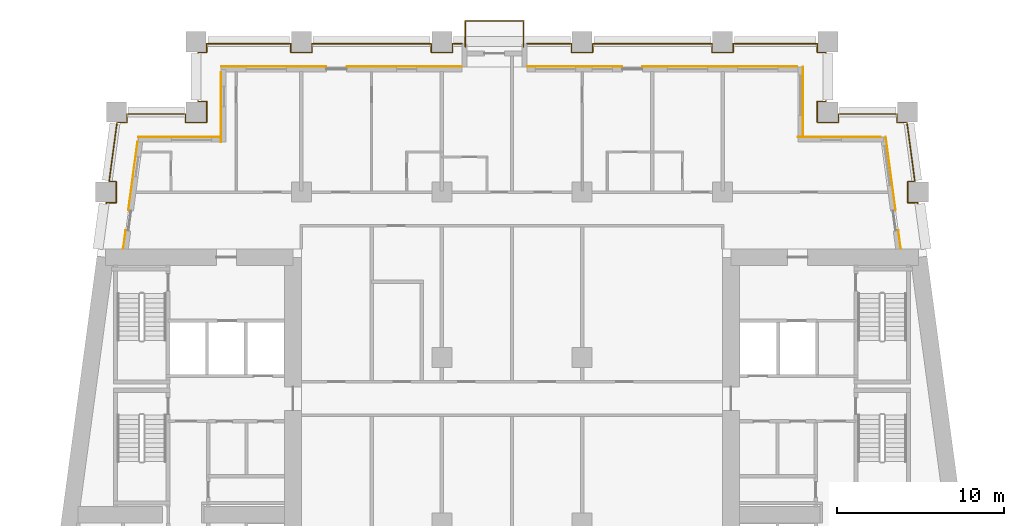
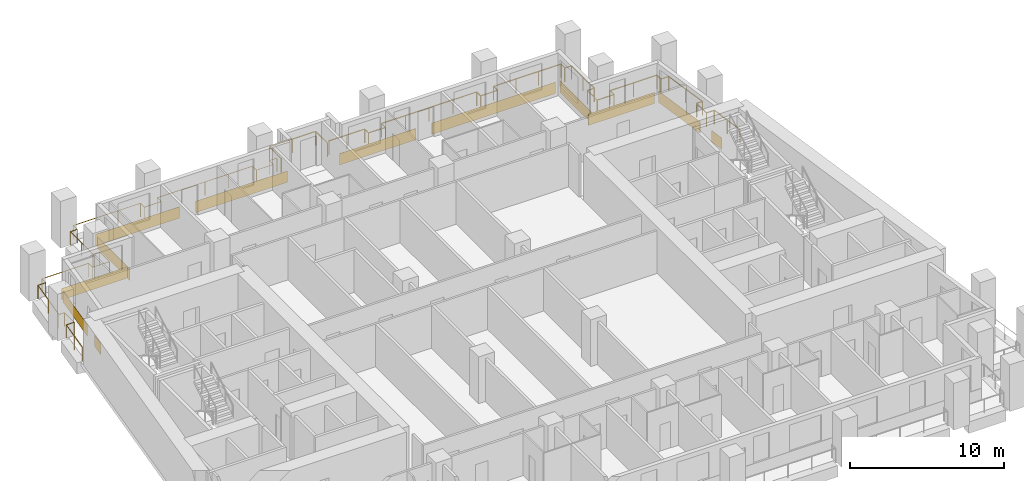
# One storey, part 12 of 13: 12 coverings, 3 railings.
"""IFC4 building model written with IfcOpenShell, lengths in metres."""

import ifcopenshell
import ifcopenshell.guid

model = None  # the IFC model being written
_history = None  # IfcOwnerHistory: only IFC2X3 demands one
_inside = {}  # id of a spatial element -> (the spatial element, [elements in it])
_under = {}  # id of a project, library or spatial element -> (it, [spatial elements below it])
_declared = {}  # id of a project -> (the project, [libraries it declares])
_typed = {}  # id of a type object -> (the type object, [elements of that type])
_made_of = {}  # id of a material, layer set ... -> (it, [elements and type objects made of it])


def new_model(schema):
    """Start an empty IFC model of exactly this schema.

    Asked for "IFC4X3", IfcOpenShell would pick the latest addendum, in which some entities
    have other attributes; the version numbers below select the first issue.
    IFC2X3 requires an IfcOwnerHistory on every rooted entity: one is made here for all.
    """
    global model, _history
    if schema == "IFC4X3":
        model = ifcopenshell.file(schema_version=(4, 3, 0, 0))
    else:
        model = ifcopenshell.file(schema=schema)
    _inside.clear()
    _under.clear()
    _declared.clear()
    _typed.clear()
    _made_of.clear()
    _history = None
    if model.schema == "IFC2X3":
        org = make("IfcOrganization", Name="unknown")
        user = make(
            "IfcPersonAndOrganization",
            ThePerson=make("IfcPerson", FamilyName="unknown"),
            TheOrganization=org,
        )
        app = make(
            "IfcApplication",
            ApplicationDeveloper=org,
            Version="unknown",
            ApplicationFullName="unknown",
            ApplicationIdentifier="unknown",
        )
        _history = make(
            "IfcOwnerHistory",
            OwningUser=user,
            OwningApplication=app,
            ChangeAction="ADDED",
            CreationDate=0,
        )
    return model


def make(cls, **values):
    """One entity of the class cls with the attributes given. An attribute that is None is left unset."""
    return model.create_entity(
        cls, **{name: value for name, value in values.items() if value is not None}
    )


def rooted(cls, **values):
    """An entity with a GlobalId (a new one), such as an element, a storey or a relation."""
    return make(cls, GlobalId=ifcopenshell.guid.new(), OwnerHistory=_history, **values)


def si_unit(unit_type, name, prefix=None):
    """IfcSIUnit, for example si_unit("LENGTHUNIT", "METRE", prefix="MILLI")."""
    return make("IfcSIUnit", UnitType=unit_type, Prefix=prefix, Name=name)


def assignment(units):
    """IfcUnitAssignment: the units of a project."""
    return None if units is None else make("IfcUnitAssignment", Units=units)


def point(xyz):
    """IfcCartesianPoint."""
    return None if xyz is None else make("IfcCartesianPoint", Coordinates=xyz)


def direction(xyz):
    """IfcDirection."""
    return None if xyz is None else make("IfcDirection", DirectionRatios=xyz)


def frame(location, z_axis=None, x_axis=None):
    """IfcAxis2Placement3D, a coordinate frame: its origin and axes. An axis left out is left unset."""
    return make(
        "IfcAxis2Placement3D",
        Location=point(location),
        Axis=direction(z_axis),
        RefDirection=direction(x_axis),
    )


def frame_2d(location, x_axis=None):
    """IfcAxis2Placement2D, a coordinate frame in the plane: its origin and x axis."""
    return make(
        "IfcAxis2Placement2D", Location=point(location), RefDirection=direction(x_axis)
    )


def origin():
    """The frame at (0, 0, 0) with its axes left unset."""
    return frame((0.0, 0.0, 0.0))


def origin_2d():
    """The frame at (0, 0) in the plane with its x axis left unset."""
    return frame_2d((0.0, 0.0))


def place(relative_to, where):
    """IfcLocalPlacement: puts the frame where relative to a parent placement (None: the world)."""
    return make(
        "IfcLocalPlacement", PlacementRelTo=relative_to, RelativePlacement=where
    )


def context(
    kind, dimensions, precision=None, world=None, true_north=None, identifier=None
):
    """IfcGeometricRepresentationContext, for example the 3D "Model" context."""
    return make(
        "IfcGeometricRepresentationContext",
        ContextIdentifier=identifier,
        ContextType=kind,
        CoordinateSpaceDimension=dimensions,
        Precision=precision,
        WorldCoordinateSystem=world,
        TrueNorth=true_north,
    )


def subcontext(parent, identifier, kind, view, scale=None):
    """IfcGeometricRepresentationSubContext, for example "Body" below "Model"."""
    return make(
        "IfcGeometricRepresentationSubContext",
        ContextIdentifier=identifier,
        ContextType=kind,
        ParentContext=parent,
        TargetScale=scale,
        TargetView=view,
    )


def project(units=None, contexts=None):
    """IfcProject with its units and contexts."""
    return rooted(
        "IfcProject",
        Name="project",
        RepresentationContexts=contexts,
        UnitsInContext=assignment(units),
    )


def spatial(cls, under=None, at=None, **own):
    """A site, building, storey or space (cls), placed at a placement, below another one or the project."""
    s = rooted(cls, ObjectPlacement=at, **own)
    if under is not None:
        _under.setdefault(under.id(), (under, []))[1].append(s)
    return s


def profile(cls, at=None, kind="AREA", **sizes):
    """A parametric profile (cls). Its sizes go by their IFC names, for example OverallWidth=200.0."""
    return make(cls, ProfileType=kind, Position=at, **sizes)


def rectangle(**sizes):
    """IfcRectangleProfileDef."""
    return profile("IfcRectangleProfileDef", **sizes)


def circle(**sizes):
    """IfcCircleProfileDef."""
    return profile("IfcCircleProfileDef", **sizes)


def extrude(swept, where, along, depth):
    """IfcExtrudedAreaSolid: the profile swept, set in the frame where, extruded along a direction by depth."""
    return make(
        "IfcExtrudedAreaSolid",
        SweptArea=swept,
        Position=where,
        ExtrudedDirection=direction(along),
        Depth=depth,
    )


def shape(context_of_items, identifier, shape_type, items):
    """IfcShapeRepresentation: the items that make up one representation, for example the "Body"."""
    return make(
        "IfcShapeRepresentation",
        ContextOfItems=context_of_items,
        RepresentationIdentifier=identifier,
        RepresentationType=shape_type,
        Items=items,
    )


def material(Name=None, Category=None):
    """IfcMaterial."""
    return make("IfcMaterial", Name=Name, Category=Category)


def layer(
    of_material, thickness, ventilated=None, Name=None, Category=None, Priority=None
):
    """IfcMaterialLayer: one layer of a wall or slab, of a material (None: an air gap)."""
    return make(
        "IfcMaterialLayer",
        Material=of_material,
        LayerThickness=thickness,
        IsVentilated=ventilated,
        Name=Name,
        Category=Category,
        Priority=Priority,
    )


def layer_set(layers, Name=None):
    """IfcMaterialLayerSet."""
    return make("IfcMaterialLayerSet", MaterialLayers=layers, LayerSetName=Name)


def made_of(thing, what):
    """Note that an element or type object is made of a material, layer set ...; save() writes the relation."""
    if what is not None:
        _made_of.setdefault(what.id(), (what, []))[1].append(thing)
    return thing


def type_object(cls, material=None, **own):
    """A type object (cls), such as IfcWallType, which elements share."""
    return made_of(rooted(cls, **own), material)


def element(
    cls,
    number,
    at=None,
    inside=None,
    cuts=None,
    type_object=None,
    material=None,
    context=None,
    identifier="Body",
    shape_type=None,
    held_by="IfcProductDefinitionShape",
    body=None,
    shapes=None,
    **own,
):
    """One element of the class cls, such as IfcWall. Its Tag is "e" and its number.

    at: its placement. inside: the storey or other place that contains it. cuts: it is an
    opening in that element (IfcRelVoidsElement). A single representation is given by context,
    identifier, shape_type and body (its items); several are given by shapes. held_by: the class
    of the entity that holds the representations. save() writes the other relations.
    """
    e = rooted(cls, Tag="e%d" % number, ObjectPlacement=at, **own)
    if body is not None:
        shapes = [shape(context, identifier, shape_type, body)]
    if shapes is not None:
        e.Representation = make(held_by, Representations=shapes)
    if inside is not None:
        _inside.setdefault(inside.id(), (inside, []))[1].append(e)
    if cuts is not None:
        rooted(
            "IfcRelVoidsElement", RelatingBuildingElement=cuts, RelatedOpeningElement=e
        )
    if type_object is not None:
        _typed.setdefault(type_object.id(), (type_object, []))[1].append(e)
    return made_of(e, material)


def aggregate(whole, parts):
    """IfcRelAggregates: a whole, such as a stair, and the parts it consists of."""
    return rooted("IfcRelAggregates", RelatingObject=whole, RelatedObjects=parts)


def save(model, path):
    """Write the relations noted so far, then the file.

    IfcRelAggregates (storeys below a building ...), IfcRelContainedInSpatialStructure (elements
    in a storey), IfcRelDefinesByType, IfcRelAssociatesMaterial and IfcRelDeclares: one each for
    every whole, place, type object, material and project.
    """
    for whole, parts in _under.values():
        aggregate(whole, parts)
    for where, things in _inside.values():
        rooted(
            "IfcRelContainedInSpatialStructure",
            RelatedElements=things,
            RelatingStructure=where,
        )
    for kind, things in _typed.values():
        rooted("IfcRelDefinesByType", RelatedObjects=things, RelatingType=kind)
    for what, things in _made_of.values():
        rooted("IfcRelAssociatesMaterial", RelatedObjects=things, RelatingMaterial=what)
    for by, libraries in _declared.values():
        rooted("IfcRelDeclares", RelatingContext=by, RelatedDefinitions=libraries)
    model.write(path)


model = new_model("IFC4")

# Units and contexts
model_context = context("Model", 3, precision=1e-05, world=origin(), true_north=direction((0.0, 1.0)))
body_context = subcontext(model_context, "Body", "Model", "MODEL_VIEW")
ifc_project = project(units=[si_unit("LENGTHUNIT", "METRE"), si_unit("AREAUNIT", "SQUARE_METRE"), si_unit("VOLUMEUNIT", "CUBIC_METRE"), si_unit("PLANEANGLEUNIT", "RADIAN"), si_unit("MASSUNIT", "GRAM", prefix="KILO")], contexts=[model_context])

# Site, building, storey
site_placement = place(None, origin())
site = spatial("IfcSite", under=ifc_project, at=site_placement, CompositionType="ELEMENT")
building_placement = place(site_placement, origin())
building = spatial("IfcBuilding", under=site, at=building_placement, Name="Candeia Pilgrim Tower and Theatre", CompositionType="ELEMENT")
storey_placement = place(building_placement, frame((0.0, 0.0, 91.0)))
storey = spatial("IfcBuildingStorey", under=building, at=storey_placement, Name="L20", CompositionType="ELEMENT", Elevation=91.0)

# Railings
ifc_material_1 = material(Name="Stainless steel balustrade", Category="steel")
railing_type = type_object("IfcRailingType", Name="G1 loggia guard 1100", PredefinedType="GUARDRAIL", material=ifc_material_1)
railing_1_placement = place(storey_placement, frame((88.758544921875, 132.449951171875, 0.0)))
element("IfcRailing", 1, at=railing_1_placement, inside=storey, type_object=railing_type, Name="Guard L20.2", PredefinedType="GUARDRAIL", context=body_context, shape_type="SweptSolid", body=[
    extrude(circle(Radius=0.02392578125, at=origin_2d()), frame((0.0, 0.0, 1.076171875), z_axis=(0.133433855259, 0.991057720958, 0.0), x_axis=(-0.991057720958, 0.133433855259, 0.0)), (0.0, 0.0, 1.0), 2.74462890625),
    extrude(circle(Radius=0.02392578125, at=origin_2d()), frame((0.3662109375, 2.719970703125, 1.076171875), z_axis=(1.0, 0.0, 0.0), x_axis=(0.0, 1.0, 0.0)), (0.0, 0.0, 1.0), 0.59375),
    extrude(circle(Radius=0.02392578125, at=origin_2d()), frame((0.9599609375, 2.719970703125, 1.076171875), z_axis=(0.0, 1.0, 0.0), x_axis=(-1.0, 0.0, 0.0)), (0.0, 0.0, 1.0), 1.260009765625),
    extrude(circle(Radius=0.02392578125, at=origin_2d()), frame((0.9599609375, 3.97998046875, 1.076171875), z_axis=(-1.0, 0.0, 0.0), x_axis=(0.0, -1.0, 0.0)), (0.0, 0.0, 1.0), 0.424072265625),
    extrude(circle(Radius=0.02392578125, at=origin_2d()), frame((0.535888671875, 3.97998046875, 1.076171875), z_axis=(0.133417176173, 0.991059966451, 0.0), x_axis=(-0.991059966451, 0.133417176173, 0.0)), (0.0, 0.0, 1.0), 3.572021484375),
    extrude(circle(Radius=0.02392578125, at=origin_2d()), frame((1.012451171875, 7.52001953125, 1.076171875), z_axis=(1.0, 0.0, 0.0), x_axis=(0.0, 1.0, 0.0)), (0.0, 0.0, 1.0), 0.593505859375),
    extrude(circle(Radius=0.02392578125, at=origin_2d()), frame((1.60595703125, 7.52001953125, 1.076171875), z_axis=(0.0, 1.0, 0.0), x_axis=(-1.0, 0.0, 0.0)), (0.0, 0.0, 1.0), 0.510009765625),
    extrude(circle(Radius=0.02392578125, at=origin_2d()), frame((1.60595703125, 8.030029296875, 1.076171875), z_axis=(1.0, 0.0, 0.0), x_axis=(0.0, 1.0, 0.0)), (0.0, 0.0, 1.0), 3.505615234375),
    extrude(circle(Radius=0.02392578125, at=origin_2d()), frame((5.111572265625, 8.030029296875, 1.076171875), z_axis=(0.0, -1.0, 0.0), x_axis=(1.0, 0.0, 0.0)), (0.0, 0.0, 1.0), 0.510009765625),
    extrude(circle(Radius=0.02392578125, at=origin_2d()), frame((5.111572265625, 7.52001953125, 1.076171875), z_axis=(1.0, 0.0, 0.0), x_axis=(0.0, 1.0, 0.0)), (0.0, 0.0, 1.0), 1.259765625),
    extrude(circle(Radius=0.02392578125, at=origin_2d()), frame((6.371337890625, 7.52001953125, 1.076171875), z_axis=(0.0, 1.0, 0.0), x_axis=(-1.0, 0.0, 0.0)), (0.0, 0.0, 1.0), 1.260009765625),
    extrude(circle(Radius=0.02392578125, at=origin_2d()), frame((6.371337890625, 8.780029296875, 1.076171875), z_axis=(-1.0, 0.0, 0.0), x_axis=(0.0, -1.0, 0.0)), (0.0, 0.0, 1.0), 0.509765625),
    extrude(circle(Radius=0.02392578125, at=origin_2d()), frame((5.861572265625, 8.780029296875, 1.076171875), z_axis=(0.0, 1.0, 0.0), x_axis=(-1.0, 0.0, 0.0)), (0.0, 0.0, 1.0), 2.93994140625),
    extrude(circle(Radius=0.02392578125, at=origin_2d()), frame((5.861572265625, 11.719970703125, 1.076171875), z_axis=(1.0, 0.0, 0.0), x_axis=(0.0, 1.0, 0.0)), (0.0, 0.0, 1.0), 0.509765625),
    extrude(circle(Radius=0.02392578125, at=origin_2d()), frame((6.371337890625, 11.719970703125, 1.076171875), z_axis=(0.0, 1.0, 0.0), x_axis=(-1.0, 0.0, 0.0)), (0.0, 0.0, 1.0), 0.510009765625),
    extrude(circle(Radius=0.02392578125, at=origin_2d()), frame((6.371337890625, 12.22998046875, 1.076171875), z_axis=(1.0, 0.0, 0.0), x_axis=(0.0, 1.0, 0.0)), (0.0, 0.0, 1.0), 5.0400390625),
    extrude(circle(Radius=0.02392578125, at=origin_2d()), frame((11.411376953125, 12.22998046875, 1.076171875), z_axis=(0.0, -1.0, 0.0), x_axis=(1.0, 0.0, 0.0)), (0.0, 0.0, 1.0), 0.510009765625),
    extrude(circle(Radius=0.02392578125, at=origin_2d()), frame((11.411376953125, 11.719970703125, 1.076171875), z_axis=(1.0, 0.0, 0.0), x_axis=(0.0, 1.0, 0.0)), (0.0, 0.0, 1.0), 1.260009765625),
    extrude(circle(Radius=0.02392578125, at=origin_2d()), frame((12.67138671875, 11.719970703125, 1.076171875), z_axis=(0.0, 1.0, 0.0), x_axis=(-1.0, 0.0, 0.0)), (0.0, 0.0, 1.0), 0.510009765625),
    extrude(circle(Radius=0.02392578125, at=origin_2d()), frame((12.67138671875, 12.22998046875, 1.076171875), z_axis=(1.0, 0.0, 0.0), x_axis=(0.0, 1.0, 0.0)), (0.0, 0.0, 1.0), 7.14013671875),
    extrude(circle(Radius=0.02392578125, at=origin_2d()), frame((19.8115234375, 12.22998046875, 1.076171875), z_axis=(0.0, -1.0, 0.0), x_axis=(1.0, 0.0, 0.0)), (0.0, 0.0, 1.0), 0.510009765625),
    extrude(circle(Radius=0.02392578125, at=origin_2d()), frame((19.8115234375, 11.719970703125, 1.076171875), z_axis=(1.0, 0.0, 0.0), x_axis=(0.0, 1.0, 0.0)), (0.0, 0.0, 1.0), 1.260009765625),
    extrude(circle(Radius=0.02392578125, at=origin_2d()), frame((21.071533203125, 11.719970703125, 1.076171875), z_axis=(0.0, 1.0, 0.0), x_axis=(-1.0, 0.0, 0.0)), (0.0, 0.0, 1.0), 0.510009765625),
    extrude(circle(Radius=0.02392578125, at=origin_2d()), frame((21.071533203125, 12.22998046875, 1.076171875), z_axis=(1.0, 0.0, 0.0), x_axis=(0.0, 1.0, 0.0)), (0.0, 0.0, 1.0), 0.56982421875),
    extrude(circle(Radius=0.02099609375, at=origin_2d()), origin(), (0.0, 0.0, 1.0), 1.052001953125),
    extrude(circle(Radius=0.02099609375, at=origin_2d()), frame((0.18310546875, 1.35986328125, 0.0)), (0.0, 0.0, 1.0), 1.052001953125),
    extrude(circle(Radius=0.02099609375, at=origin_2d()), frame((0.3662109375, 2.719970703125, 0.0)), (0.0, 0.0, 1.0), 1.052001953125),
    extrude(circle(Radius=0.02099609375, at=origin_2d()), frame((0.9599609375, 2.719970703125, 0.0)), (0.0, 0.0, 1.0), 1.052001953125),
    extrude(circle(Radius=0.02099609375, at=origin_2d()), frame((0.9599609375, 3.97998046875, 0.0)), (0.0, 0.0, 1.0), 1.052001953125),
    extrude(circle(Radius=0.02099609375, at=origin_2d()), frame((0.535888671875, 3.97998046875, 0.0)), (0.0, 0.0, 1.0), 1.052001953125),
    extrude(circle(Radius=0.02099609375, at=origin_2d()), frame((0.774169921875, 5.75, 0.0)), (0.0, 0.0, 1.0), 1.052001953125),
    extrude(circle(Radius=0.02099609375, at=origin_2d()), frame((1.012451171875, 7.52001953125, 0.0)), (0.0, 0.0, 1.0), 1.052001953125),
    extrude(circle(Radius=0.02099609375, at=origin_2d()), frame((1.60595703125, 7.52001953125, 0.0)), (0.0, 0.0, 1.0), 1.052001953125),
    extrude(circle(Radius=0.02099609375, at=origin_2d()), frame((1.60595703125, 8.030029296875, 0.0)), (0.0, 0.0, 1.0), 1.052001953125),
    extrude(circle(Radius=0.02099609375, at=origin_2d()), frame((3.35888671875, 8.030029296875, 0.0)), (0.0, 0.0, 1.0), 1.052001953125),
    extrude(circle(Radius=0.02099609375, at=origin_2d()), frame((5.111572265625, 8.030029296875, 0.0)), (0.0, 0.0, 1.0), 1.052001953125),
    extrude(circle(Radius=0.02099609375, at=origin_2d()), frame((5.111572265625, 7.52001953125, 0.0)), (0.0, 0.0, 1.0), 1.052001953125),
    extrude(circle(Radius=0.02099609375, at=origin_2d()), frame((6.371337890625, 7.52001953125, 0.0)), (0.0, 0.0, 1.0), 1.052001953125),
    extrude(circle(Radius=0.02099609375, at=origin_2d()), frame((6.371337890625, 8.780029296875, 0.0)), (0.0, 0.0, 1.0), 1.052001953125),
    extrude(circle(Radius=0.02099609375, at=origin_2d()), frame((5.861572265625, 8.780029296875, 0.0)), (0.0, 0.0, 1.0), 1.052001953125),
    extrude(circle(Radius=0.02099609375, at=origin_2d()), frame((5.861572265625, 10.25, 0.0)), (0.0, 0.0, 1.0), 1.052001953125),
    extrude(circle(Radius=0.02099609375, at=origin_2d()), frame((5.861572265625, 11.719970703125, 0.0)), (0.0, 0.0, 1.0), 1.052001953125),
    extrude(circle(Radius=0.02099609375, at=origin_2d()), frame((6.371337890625, 11.719970703125, 0.0)), (0.0, 0.0, 1.0), 1.052001953125),
    extrude(circle(Radius=0.02099609375, at=origin_2d()), frame((6.371337890625, 12.22998046875, 0.0)), (0.0, 0.0, 1.0), 1.052001953125),
    extrude(circle(Radius=0.02099609375, at=origin_2d()), frame((8.05126953125, 12.22998046875, 0.0)), (0.0, 0.0, 1.0), 1.052001953125),
    extrude(circle(Radius=0.02099609375, at=origin_2d()), frame((9.7314453125, 12.22998046875, 0.0)), (0.0, 0.0, 1.0), 1.052001953125),
    extrude(circle(Radius=0.02099609375, at=origin_2d()), frame((11.411376953125, 12.22998046875, 0.0)), (0.0, 0.0, 1.0), 1.052001953125),
    extrude(circle(Radius=0.02099609375, at=origin_2d()), frame((11.411376953125, 11.719970703125, 0.0)), (0.0, 0.0, 1.0), 1.052001953125),
    extrude(circle(Radius=0.02099609375, at=origin_2d()), frame((12.67138671875, 11.719970703125, 0.0)), (0.0, 0.0, 1.0), 1.052001953125),
    extrude(circle(Radius=0.02099609375, at=origin_2d()), frame((12.67138671875, 12.22998046875, 0.0)), (0.0, 0.0, 1.0), 1.052001953125),
    extrude(circle(Radius=0.02099609375, at=origin_2d()), frame((14.45654296875, 12.22998046875, 0.0)), (0.0, 0.0, 1.0), 1.052001953125),
    extrude(circle(Radius=0.02099609375, at=origin_2d()), frame((16.241455078125, 12.22998046875, 0.0)), (0.0, 0.0, 1.0), 1.052001953125),
    extrude(circle(Radius=0.02099609375, at=origin_2d()), frame((18.0263671875, 12.22998046875, 0.0)), (0.0, 0.0, 1.0), 1.052001953125),
    extrude(circle(Radius=0.02099609375, at=origin_2d()), frame((19.8115234375, 12.22998046875, 0.0)), (0.0, 0.0, 1.0), 1.052001953125),
    extrude(circle(Radius=0.02099609375, at=origin_2d()), frame((19.8115234375, 11.719970703125, 0.0)), (0.0, 0.0, 1.0), 1.052001953125),
    extrude(circle(Radius=0.02099609375, at=origin_2d()), frame((21.071533203125, 11.719970703125, 0.0)), (0.0, 0.0, 1.0), 1.052001953125),
    extrude(circle(Radius=0.02099609375, at=origin_2d()), frame((21.071533203125, 12.22998046875, 0.0)), (0.0, 0.0, 1.0), 1.052001953125),
    extrude(circle(Radius=0.02099609375, at=origin_2d()), frame((21.641357421875, 12.22998046875, 0.0)), (0.0, 0.0, 1.0), 1.052001953125),
])
railing_2_placement = place(storey_placement, frame((114.300048828125, 144.679931640625, 0.0)))
element("IfcRailing", 2, at=railing_2_placement, inside=storey, type_object=railing_type, Name="Guard L20.3", PredefinedType="GUARDRAIL", context=body_context, shape_type="SweptSolid", body=[
    extrude(circle(Radius=0.02392578125, at=origin_2d()), frame((0.0, 0.0, 1.076171875), z_axis=(1.0, 0.0, 0.0), x_axis=(0.0, 1.0, 0.0)), (0.0, 0.0, 1.0), 2.669921875),
    extrude(circle(Radius=0.02392578125, at=origin_2d()), frame((2.669921875, 0.0, 1.076171875), z_axis=(0.0, -1.0, 0.0), x_axis=(1.0, 0.0, 0.0)), (0.0, 0.0, 1.0), 0.510009765625),
    extrude(circle(Radius=0.02392578125, at=origin_2d()), frame((2.669921875, -0.510009765625, 1.076171875), z_axis=(1.0, 0.0, 0.0), x_axis=(0.0, 1.0, 0.0)), (0.0, 0.0, 1.0), 1.260009765625),
    extrude(circle(Radius=0.02392578125, at=origin_2d()), frame((3.929931640625, -0.510009765625, 1.076171875), z_axis=(0.0, 1.0, 0.0), x_axis=(-1.0, 0.0, 0.0)), (0.0, 0.0, 1.0), 0.510009765625),
    extrude(circle(Radius=0.02392578125, at=origin_2d()), frame((3.929931640625, 0.0, 1.076171875), z_axis=(1.0, 0.0, 0.0), x_axis=(0.0, 1.0, 0.0)), (0.0, 0.0, 1.0), 7.14013671875),
    extrude(circle(Radius=0.02392578125, at=origin_2d()), frame((11.070068359375, 0.0, 1.076171875), z_axis=(0.0, -1.0, 0.0), x_axis=(1.0, 0.0, 0.0)), (0.0, 0.0, 1.0), 0.510009765625),
    extrude(circle(Radius=0.02392578125, at=origin_2d()), frame((11.070068359375, -0.510009765625, 1.076171875), z_axis=(1.0, 0.0, 0.0), x_axis=(0.0, 1.0, 0.0)), (0.0, 0.0, 1.0), 1.259765625),
    extrude(circle(Radius=0.02392578125, at=origin_2d()), frame((12.329833984375, -0.510009765625, 1.076171875), z_axis=(0.0, 1.0, 0.0), x_axis=(-1.0, 0.0, 0.0)), (0.0, 0.0, 1.0), 0.510009765625),
    extrude(circle(Radius=0.02392578125, at=origin_2d()), frame((12.329833984375, 0.0, 1.076171875), z_axis=(1.0, 0.0, 0.0), x_axis=(0.0, 1.0, 0.0)), (0.0, 0.0, 1.0), 5.0400390625),
    extrude(circle(Radius=0.02392578125, at=origin_2d()), frame((17.369873046875, 0.0, 1.076171875), z_axis=(0.0, -1.0, 0.0), x_axis=(1.0, 0.0, 0.0)), (0.0, 0.0, 1.0), 0.510009765625),
    extrude(circle(Radius=0.02392578125, at=origin_2d()), frame((17.369873046875, -0.510009765625, 1.076171875), z_axis=(1.0, 0.0, 0.0), x_axis=(0.0, 1.0, 0.0)), (0.0, 0.0, 1.0), 0.510009765625),
    extrude(circle(Radius=0.02392578125, at=origin_2d()), frame((17.8798828125, -0.510009765625, 1.076171875), z_axis=(0.0, -1.0, 0.0), x_axis=(1.0, 0.0, 0.0)), (0.0, 0.0, 1.0), 2.93994140625),
    extrude(circle(Radius=0.02392578125, at=origin_2d()), frame((17.8798828125, -3.449951171875, 1.076171875), z_axis=(-1.0, 0.0, 0.0), x_axis=(0.0, -1.0, 0.0)), (0.0, 0.0, 1.0), 0.510009765625),
    extrude(circle(Radius=0.02392578125, at=origin_2d()), frame((17.369873046875, -3.449951171875, 1.076171875), z_axis=(0.0, -1.0, 0.0), x_axis=(1.0, 0.0, 0.0)), (0.0, 0.0, 1.0), 1.260009765625),
    extrude(circle(Radius=0.02392578125, at=origin_2d()), frame((17.369873046875, -4.7099609375, 1.076171875), z_axis=(1.0, 0.0, 0.0), x_axis=(0.0, 1.0, 0.0)), (0.0, 0.0, 1.0), 1.260009765625),
    extrude(circle(Radius=0.02392578125, at=origin_2d()), frame((18.6298828125, -4.7099609375, 1.076171875), z_axis=(0.0, 1.0, 0.0), x_axis=(-1.0, 0.0, 0.0)), (0.0, 0.0, 1.0), 0.510009765625),
    extrude(circle(Radius=0.02392578125, at=origin_2d()), frame((18.6298828125, -4.199951171875, 1.076171875), z_axis=(1.0, 0.0, 0.0), x_axis=(0.0, 1.0, 0.0)), (0.0, 0.0, 1.0), 3.50537109375),
    extrude(circle(Radius=0.02392578125, at=origin_2d()), frame((22.13525390625, -4.199951171875, 1.076171875), z_axis=(0.0, -1.0, 0.0), x_axis=(1.0, 0.0, 0.0)), (0.0, 0.0, 1.0), 0.510009765625),
    extrude(circle(Radius=0.02392578125, at=origin_2d()), frame((22.13525390625, -4.7099609375, 1.076171875), z_axis=(1.0, 0.0, 0.0), x_axis=(0.0, 1.0, 0.0)), (0.0, 0.0, 1.0), 0.59375),
    extrude(circle(Radius=0.02392578125, at=origin_2d()), frame((22.72900390625, -4.7099609375, 1.076171875), z_axis=(0.133417176173, -0.991059966451, 0.0), x_axis=(0.991059966451, 0.133417176173, 0.0)), (0.0, 0.0, 1.0), 3.572021484375),
    extrude(circle(Radius=0.02392578125, at=origin_2d()), frame((23.20556640625, -8.25, 1.076171875), z_axis=(-1.0, 0.0, 0.0), x_axis=(0.0, -1.0, 0.0)), (0.0, 0.0, 1.0), 0.424072265625),
    extrude(circle(Radius=0.02392578125, at=origin_2d()), frame((22.781494140625, -8.25, 1.076171875), z_axis=(0.0, -1.0, 0.0), x_axis=(1.0, 0.0, 0.0)), (0.0, 0.0, 1.0), 1.260009765625),
    extrude(circle(Radius=0.02392578125, at=origin_2d()), frame((22.781494140625, -9.510009765625, 1.076171875), z_axis=(1.0, 0.0, 0.0), x_axis=(0.0, 1.0, 0.0)), (0.0, 0.0, 1.0), 0.59375),
    extrude(circle(Radius=0.02392578125, at=origin_2d()), frame((23.375244140625, -9.510009765625, 1.076171875), z_axis=(0.133433855259, -0.991057720958, 0.0), x_axis=(0.991057720958, 0.133433855259, 0.0)), (0.0, 0.0, 1.0), 2.74462890625),
    extrude(circle(Radius=0.02099609375, at=origin_2d()), origin(), (0.0, 0.0, 1.0), 1.052001953125),
    extrude(circle(Radius=0.02099609375, at=origin_2d()), frame((1.3349609375, 0.0, 0.0)), (0.0, 0.0, 1.0), 1.052001953125),
    extrude(circle(Radius=0.02099609375, at=origin_2d()), frame((2.669921875, 0.0, 0.0)), (0.0, 0.0, 1.0), 1.052001953125),
    extrude(circle(Radius=0.02099609375, at=origin_2d()), frame((2.669921875, -0.510009765625, 0.0)), (0.0, 0.0, 1.0), 1.052001953125),
    extrude(circle(Radius=0.02099609375, at=origin_2d()), frame((3.929931640625, -0.510009765625, 0.0)), (0.0, 0.0, 1.0), 1.052001953125),
    extrude(circle(Radius=0.02099609375, at=origin_2d()), frame((3.929931640625, 0.0, 0.0)), (0.0, 0.0, 1.0), 1.052001953125),
    extrude(circle(Radius=0.02099609375, at=origin_2d()), frame((5.71484375, 0.0, 0.0)), (0.0, 0.0, 1.0), 1.052001953125),
    extrude(circle(Radius=0.02099609375, at=origin_2d()), frame((7.5, 0.0, 0.0)), (0.0, 0.0, 1.0), 1.052001953125),
    extrude(circle(Radius=0.02099609375, at=origin_2d()), frame((9.28515625, 0.0, 0.0)), (0.0, 0.0, 1.0), 1.052001953125),
    extrude(circle(Radius=0.02099609375, at=origin_2d()), frame((11.070068359375, 0.0, 0.0)), (0.0, 0.0, 1.0), 1.052001953125),
    extrude(circle(Radius=0.02099609375, at=origin_2d()), frame((11.070068359375, -0.510009765625, 0.0)), (0.0, 0.0, 1.0), 1.052001953125),
    extrude(circle(Radius=0.02099609375, at=origin_2d()), frame((12.329833984375, -0.510009765625, 0.0)), (0.0, 0.0, 1.0), 1.052001953125),
    extrude(circle(Radius=0.02099609375, at=origin_2d()), frame((12.329833984375, 0.0, 0.0)), (0.0, 0.0, 1.0), 1.052001953125),
    extrude(circle(Radius=0.02099609375, at=origin_2d()), frame((14.009765625, 0.0, 0.0)), (0.0, 0.0, 1.0), 1.052001953125),
    extrude(circle(Radius=0.02099609375, at=origin_2d()), frame((15.68994140625, 0.0, 0.0)), (0.0, 0.0, 1.0), 1.052001953125),
    extrude(circle(Radius=0.02099609375, at=origin_2d()), frame((17.369873046875, 0.0, 0.0)), (0.0, 0.0, 1.0), 1.052001953125),
    extrude(circle(Radius=0.02099609375, at=origin_2d()), frame((17.369873046875, -0.510009765625, 0.0)), (0.0, 0.0, 1.0), 1.052001953125),
    extrude(circle(Radius=0.02099609375, at=origin_2d()), frame((17.8798828125, -0.510009765625, 0.0)), (0.0, 0.0, 1.0), 1.052001953125),
    extrude(circle(Radius=0.02099609375, at=origin_2d()), frame((17.8798828125, -1.97998046875, 0.0)), (0.0, 0.0, 1.0), 1.052001953125),
    extrude(circle(Radius=0.02099609375, at=origin_2d()), frame((17.8798828125, -3.449951171875, 0.0)), (0.0, 0.0, 1.0), 1.052001953125),
    extrude(circle(Radius=0.02099609375, at=origin_2d()), frame((17.369873046875, -3.449951171875, 0.0)), (0.0, 0.0, 1.0), 1.052001953125),
    extrude(circle(Radius=0.02099609375, at=origin_2d()), frame((17.369873046875, -4.7099609375, 0.0)), (0.0, 0.0, 1.0), 1.052001953125),
    extrude(circle(Radius=0.02099609375, at=origin_2d()), frame((18.6298828125, -4.7099609375, 0.0)), (0.0, 0.0, 1.0), 1.052001953125),
    extrude(circle(Radius=0.02099609375, at=origin_2d()), frame((18.6298828125, -4.199951171875, 0.0)), (0.0, 0.0, 1.0), 1.052001953125),
    extrude(circle(Radius=0.02099609375, at=origin_2d()), frame((20.382568359375, -4.199951171875, 0.0)), (0.0, 0.0, 1.0), 1.052001953125),
    extrude(circle(Radius=0.02099609375, at=origin_2d()), frame((22.13525390625, -4.199951171875, 0.0)), (0.0, 0.0, 1.0), 1.052001953125),
    extrude(circle(Radius=0.02099609375, at=origin_2d()), frame((22.13525390625, -4.7099609375, 0.0)), (0.0, 0.0, 1.0), 1.052001953125),
    extrude(circle(Radius=0.02099609375, at=origin_2d()), frame((22.72900390625, -4.7099609375, 0.0)), (0.0, 0.0, 1.0), 1.052001953125),
    extrude(circle(Radius=0.02099609375, at=origin_2d()), frame((22.96728515625, -6.47998046875, 0.0)), (0.0, 0.0, 1.0), 1.052001953125),
    extrude(circle(Radius=0.02099609375, at=origin_2d()), frame((23.20556640625, -8.25, 0.0)), (0.0, 0.0, 1.0), 1.052001953125),
    extrude(circle(Radius=0.02099609375, at=origin_2d()), frame((22.781494140625, -8.25, 0.0)), (0.0, 0.0, 1.0), 1.052001953125),
    extrude(circle(Radius=0.02099609375, at=origin_2d()), frame((22.781494140625, -9.510009765625, 0.0)), (0.0, 0.0, 1.0), 1.052001953125),
    extrude(circle(Radius=0.02099609375, at=origin_2d()), frame((23.375244140625, -9.510009765625, 0.0)), (0.0, 0.0, 1.0), 1.052001953125),
    extrude(circle(Radius=0.02099609375, at=origin_2d()), frame((23.558349609375, -10.8701171875, 0.0)), (0.0, 0.0, 1.0), 1.052001953125),
    extrude(circle(Radius=0.02099609375, at=origin_2d()), frame((23.741455078125, -12.22998046875, 0.0)), (0.0, 0.0, 1.0), 1.052001953125),
])
railing_3_placement = place(storey_placement, frame((110.610107421875, 144.5, 0.0)))
element("IfcRailing", 3, at=railing_3_placement, inside=storey, type_object=railing_type, Name="Balcony guard L20", PredefinedType="GUARDRAIL", context=body_context, shape_type="SweptSolid", body=[
    extrude(circle(Radius=0.02392578125, at=origin_2d()), frame((0.0, 0.0, 1.076171875), z_axis=(0.0, 1.0, 0.0), x_axis=(-1.0, 0.0, 0.0)), (0.0, 0.0, 1.0), 1.5400390625),
    extrude(circle(Radius=0.02392578125, at=origin_2d()), frame((0.0, 1.5400390625, 1.076171875), z_axis=(1.0, 0.0, 0.0), x_axis=(0.0, 1.0, 0.0)), (0.0, 0.0, 1.0), 3.47998046875),
    extrude(circle(Radius=0.02392578125, at=origin_2d()), frame((3.47998046875, 1.5400390625, 1.076171875), z_axis=(0.0, -1.0, 0.0), x_axis=(1.0, 0.0, 0.0)), (0.0, 0.0, 1.0), 1.5400390625),
    extrude(circle(Radius=0.02099609375, at=origin_2d()), origin(), (0.0, 0.0, 1.0), 1.052001953125),
    extrude(circle(Radius=0.02099609375, at=origin_2d()), frame((0.0, 1.5400390625, 0.0)), (0.0, 0.0, 1.0), 1.052001953125),
    extrude(circle(Radius=0.02099609375, at=origin_2d()), frame((1.739990234375, 1.5400390625, 0.0)), (0.0, 0.0, 1.0), 1.052001953125),
    extrude(circle(Radius=0.02099609375, at=origin_2d()), frame((3.47998046875, 1.5400390625, 0.0)), (0.0, 0.0, 1.0), 1.052001953125),
    extrude(circle(Radius=0.02099609375, at=origin_2d()), frame((3.47998046875, 0.0, 0.0)), (0.0, 0.0, 1.0), 1.052001953125),
])

# Coverings
ifc_material_2 = material(Name="Glazed ceramic tile red")
ifc_layer = layer(ifc_material_2, 0.02001953125)
ifc_layer_set = layer_set([ifc_layer], Name="Glazed ceramic tile red")
covering_type = type_object("IfcCoveringType", Name="Glazed ceramic tile red", PredefinedType="CLADDING", material=ifc_layer_set)
covering_1_placement = place(storey_placement, frame((136.588623046875, 132.97412109375, 0.0), z_axis=(0.0, 0.0, 1.0), x_axis=(-0.133412012145, 0.991060661622, 0.0)))
element("IfcCovering", 4, at=covering_1_placement, inside=storey, type_object=covering_type, Name="Tile cladding red L20", PredefinedType="CLADDING", context=body_context, shape_type="SweptSolid", body=[
    extrude(rectangle(XDim=1.115234375, YDim=0.02001953125, at=origin_2d()), origin(), (0.0, 0.0, 1.0), 0.89990234375),
])
covering_2_placement = place(storey_placement, frame((136.058837890625, 136.90869140625, 0.0), z_axis=(0.0, 0.0, 1.0), x_axis=(-0.133412012145, 0.991060661622, 0.0)))
element("IfcCovering", 5, at=covering_2_placement, inside=storey, type_object=covering_type, Name="Tile cladding red L20", PredefinedType="CLADDING", context=body_context, shape_type="SweptSolid", body=[
    extrude(rectangle(XDim=4.4248046875, YDim=0.02001953125, at=origin_2d()), origin(), (0.0, 0.0, 1.0), 0.89990234375),
])
covering_3_placement = place(storey_placement, frame((132.976318359375, 139.110107421875, 0.0), z_axis=(0.0, 0.0, 1.0), x_axis=(-1.0, 0.0, 0.0)))
element("IfcCovering", 6, at=covering_3_placement, inside=storey, type_object=covering_type, Name="Tile cladding red L20", PredefinedType="CLADDING", context=body_context, shape_type="SweptSolid", body=[
    extrude(rectangle(XDim=4.95263671875, YDim=0.02001953125, at=origin_2d()), origin(), (0.0, 0.0, 1.0), 0.89990234375),
])
covering_4_placement = place(storey_placement, frame((130.81005859375, 141.2099609375, 0.0), z_axis=(0.0, 0.0, 1.0), x_axis=(0.0, 1.0, 0.0)))
element("IfcCovering", 7, at=covering_4_placement, inside=storey, type_object=covering_type, Name="Tile cladding red L20", PredefinedType="CLADDING", context=body_context, shape_type="SweptSolid", body=[
    extrude(rectangle(XDim=4.179931640625, YDim=0.02001953125, at=origin_2d()), origin(), (0.0, 0.0, 1.0), 0.89990234375),
])
covering_5_placement = place(storey_placement, frame((125.840087890625, 143.31005859375, 0.0), z_axis=(0.0, 0.0, 1.0), x_axis=(-1.0, 0.0, 0.0)))
element("IfcCovering", 8, at=covering_5_placement, inside=storey, type_object=covering_type, Name="Tile cladding red L20", PredefinedType="CLADDING", context=body_context, shape_type="SweptSolid", body=[
    extrude(rectangle(XDim=9.280029296875, YDim=0.02001953125, at=origin_2d()), origin(), (0.0, 0.0, 1.0), 0.89990234375),
])
covering_6_placement = place(storey_placement, frame((117.14990234375, 143.31005859375, 0.0), z_axis=(0.0, 0.0, 1.0), x_axis=(-1.0, 0.0, 0.0)))
element("IfcCovering", 9, at=covering_6_placement, inside=storey, type_object=covering_type, Name="Tile cladding red L20", PredefinedType="CLADDING", context=body_context, shape_type="SweptSolid", body=[
    extrude(rectangle(XDim=5.699951171875, YDim=0.02001953125, at=origin_2d()), origin(), (0.0, 0.0, 1.0), 0.89990234375),
])
covering_7_placement = place(storey_placement, frame((106.949951171875, 143.31005859375, 0.0), z_axis=(0.0, 0.0, 1.0), x_axis=(-1.0, 0.0, 0.0)))
element("IfcCovering", 10, at=covering_7_placement, inside=storey, type_object=covering_type, Name="Tile cladding red L20", PredefinedType="CLADDING", context=body_context, shape_type="SweptSolid", body=[
    extrude(rectangle(XDim=6.89990234375, YDim=0.02001953125, at=origin_2d()), origin(), (0.0, 0.0, 1.0), 0.89990234375),
])
covering_8_placement = place(storey_placement, frame((99.14990234375, 143.31005859375, 0.0), z_axis=(0.0, 0.0, 1.0), x_axis=(-1.0, 0.0, 0.0)))
element("IfcCovering", 11, at=covering_8_placement, inside=storey, type_object=covering_type, Name="Tile cladding red L20", PredefinedType="CLADDING", context=body_context, shape_type="SweptSolid", body=[
    extrude(rectangle(XDim=6.300048828125, YDim=0.02001953125, at=origin_2d()), origin(), (0.0, 0.0, 1.0), 0.89990234375),
])
covering_9_placement = place(storey_placement, frame((95.989990234375, 140.889892578125, 0.0), z_axis=(0.0, 0.0, 1.0), x_axis=(0.0, -1.0, 0.0)))
element("IfcCovering", 12, at=covering_9_placement, inside=storey, type_object=covering_type, Name="Tile cladding red L20", PredefinedType="CLADDING", context=body_context, shape_type="SweptSolid", body=[
    extrude(rectangle(XDim=4.179931640625, YDim=0.02001953125, at=origin_2d()), origin(), (0.0, 0.0, 1.0), 0.89990234375),
])
covering_10_placement = place(storey_placement, frame((93.51318359375, 139.110107421875, 0.0), z_axis=(0.0, 0.0, 1.0), x_axis=(-1.0, 0.0, 0.0)))
element("IfcCovering", 13, at=covering_10_placement, inside=storey, type_object=covering_type, Name="Tile cladding red L20", PredefinedType="CLADDING", context=body_context, shape_type="SweptSolid", body=[
    extrude(rectangle(XDim=4.933837890625, YDim=0.02001953125, at=origin_2d()), origin(), (0.0, 0.0, 1.0), 0.89990234375),
])
covering_11_placement = place(storey_placement, frame((90.720947265625, 136.759521484375, 0.0), z_axis=(0.0, 0.0, 1.0), x_axis=(-0.133412012145, -0.991060661622, 0.0)))
element("IfcCovering", 14, at=covering_11_placement, inside=storey, type_object=covering_type, Name="Tile cladding red L20", PredefinedType="CLADDING", context=body_context, shape_type="SweptSolid", body=[
    extrude(rectangle(XDim=4.123779296875, YDim=0.02001953125, at=origin_2d()), origin(), (0.0, 0.0, 1.0), 0.89990234375),
])
covering_12_placement = place(storey_placement, frame((90.21142578125, 132.97412109375, 0.0), z_axis=(0.0, 0.0, 1.0), x_axis=(-0.133412012145, -0.991060661622, 0.0)))
element("IfcCovering", 15, at=covering_12_placement, inside=storey, type_object=covering_type, Name="Tile cladding red L20", PredefinedType="CLADDING", context=body_context, shape_type="SweptSolid", body=[
    extrude(rectangle(XDim=1.115234375, YDim=0.02001953125, at=origin_2d()), origin(), (0.0, 0.0, 1.0), 0.89990234375),
])

save(model, "model.ifc")
